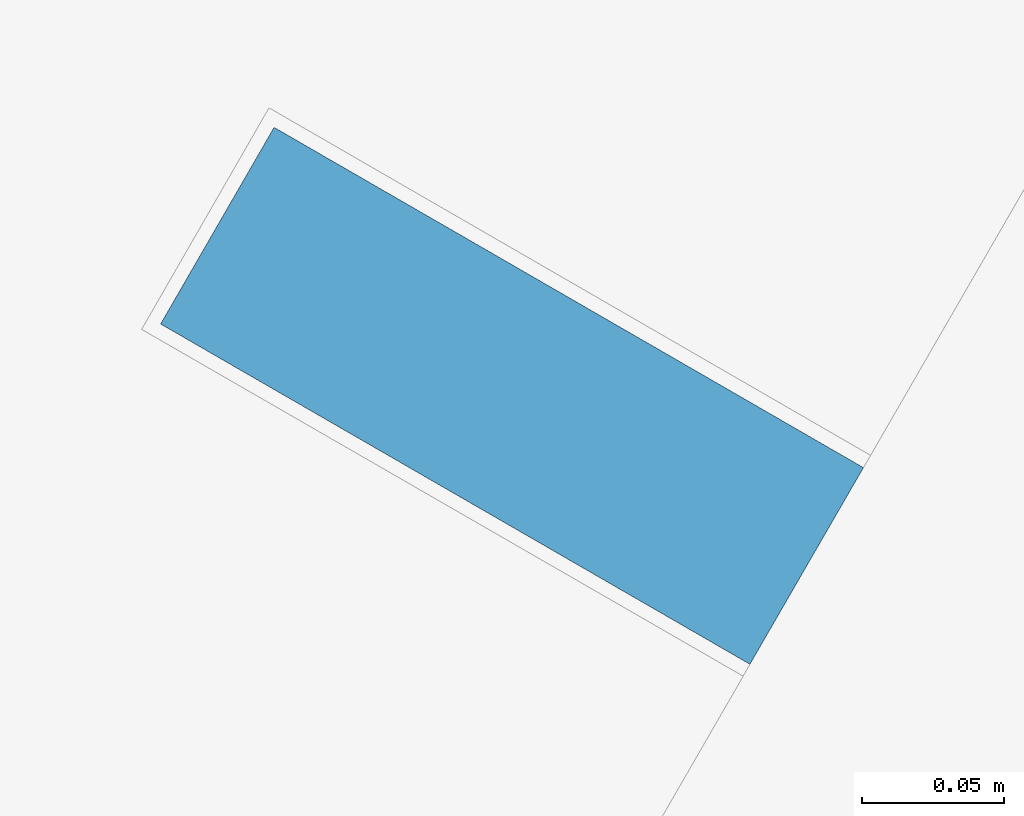
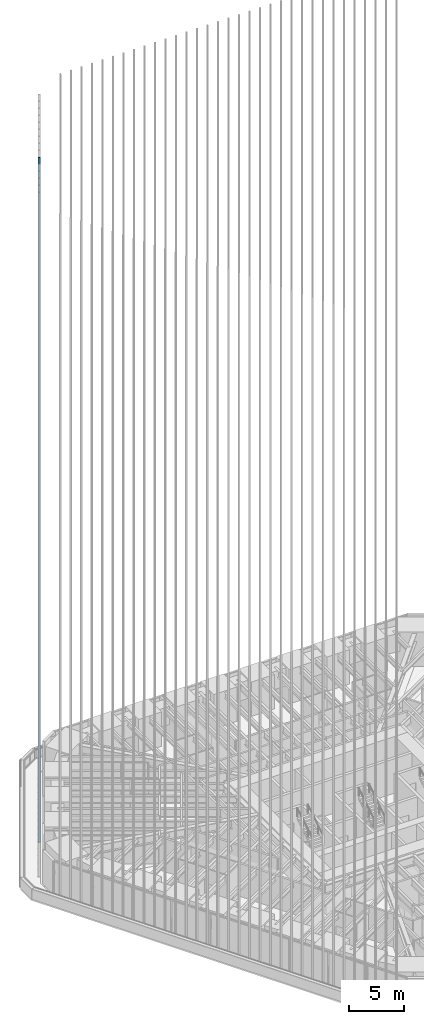
# One storey, part 133 of 238: 1 member, 1 element without a shape of its own.
"""IFC4 building model written with IfcOpenShell, lengths in metres."""

from ifc_helpers import new_model, si_unit, direction, frame, origin, origin_2d, place, context, subcontext, project, spatial, rectangle, extrude, material, material_profile, profile_set, type_object, element, aggregate, save


model = new_model("IFC4")

# Units and contexts
model_context = context("Model", 3, precision=1e-05, world=origin(), true_north=direction((0.0, 1.0)))
body_context = subcontext(model_context, "Body", "Model", "MODEL_VIEW")
ifc_project = project(units=[si_unit("LENGTHUNIT", "METRE"), si_unit("AREAUNIT", "SQUARE_METRE"), si_unit("VOLUMEUNIT", "CUBIC_METRE"), si_unit("PLANEANGLEUNIT", "RADIAN"), si_unit("MASSUNIT", "GRAM", prefix="KILO")], contexts=[model_context])

# Site, building, storey
site_placement = place(None, origin())
site = spatial("IfcSite", under=ifc_project, at=site_placement, CompositionType="ELEMENT")
building_placement = place(site_placement, origin())
building = spatial("IfcBuilding", under=site, at=building_placement, Name="Sandreach Pilgrim Tower", CompositionType="ELEMENT")
storey_placement = place(building_placement, frame((0.0, 0.0, 96.800048828125)))
storey = spatial("IfcBuildingStorey", under=building, at=storey_placement, Name="L23", CompositionType="ELEMENT", Elevation=96.800048828125)

# Curtain wall, member
ifc_material_1 = material(Name="Aluminium framed curtain wall", Category="aluminium")
curtain_wall_type = type_object("IfcCurtainWallType", Name="Hotel tower curtain wall", PredefinedType="NOTDEFINED", material=ifc_material_1)
curtain_wall_placement = place(storey_placement, origin())
curtain_wall = element("IfcCurtainWall", 1, at=curtain_wall_placement, inside=storey, type_object=curtain_wall_type, Name="CW-2 L23 NW", PredefinedType="NOTDEFINED")
ifc_material_2 = material(Name="Extruded terracotta on aluminium core", Category="masonry")
ifc_material_profile = material_profile(ifc_material_2, rectangle(XDim=0.080078125, YDim=0.239990234375, at=origin_2d()), Name="TBW 80X240")
ifc_profile_set = profile_set([ifc_material_profile], Name="Extruded terracotta on aluminium core")
member_type = type_object("IfcMemberType", Name="Terracotta baguette west", PredefinedType="USERDEFINED", material=ifc_profile_set)
member_placement = place(storey_placement, frame((-25.8857421875, 12.38916015625, 0.0), z_axis=(0.0, 0.0, 1.0), x_axis=(0.5, 0.866025403784, 0.0)))
member = element("IfcMember", 2, at=member_placement, type_object=member_type, Name="Baguette Z2 NW06", ObjectType="BAGUETTE", PredefinedType="USERDEFINED", context=body_context, shape_type="SweptSolid", body=[
    extrude(rectangle(XDim=0.080078125, YDim=0.239990234375, at=origin_2d()), origin(), (0.0, 0.0, 1.0), 75.83984375),
])
aggregate(curtain_wall, [member])

save(model, "model.ifc")
